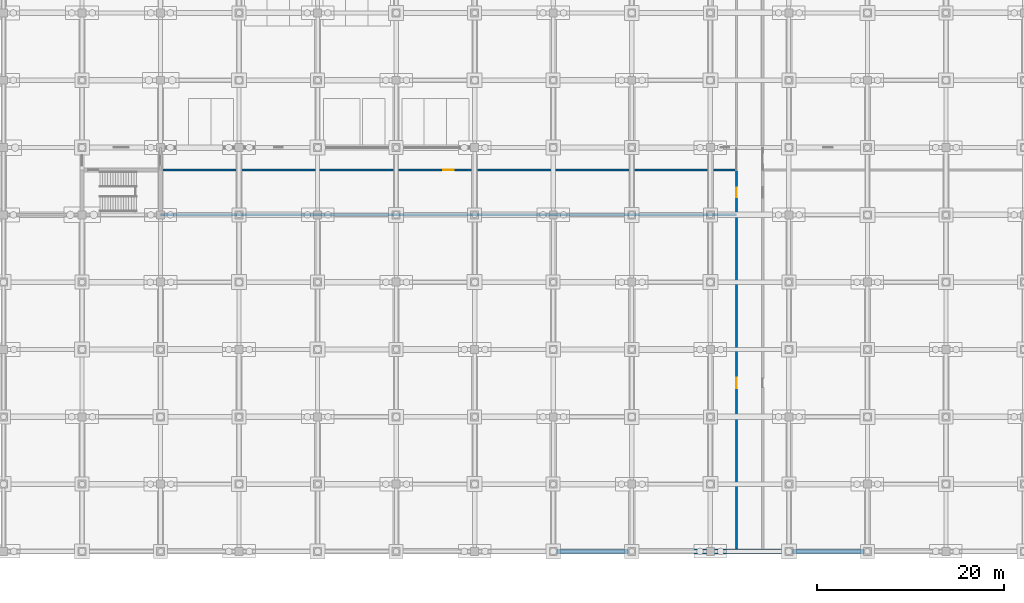
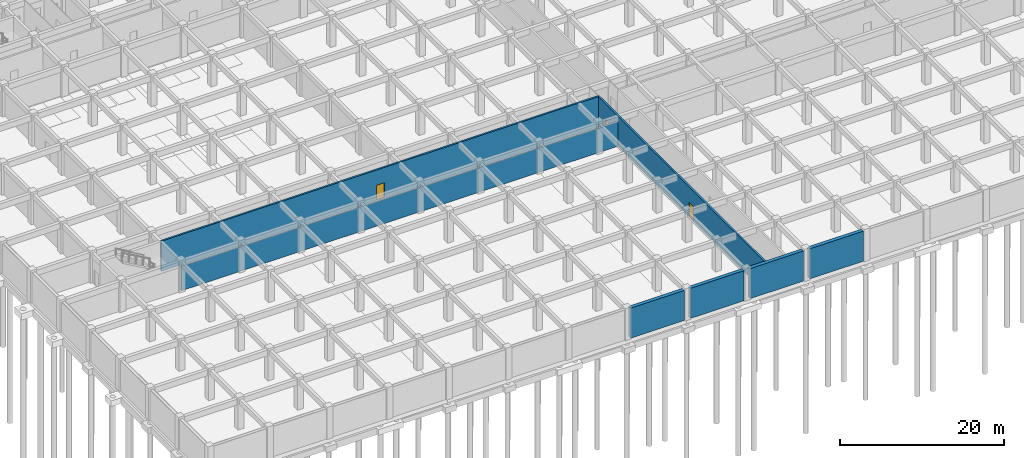
# One storey, part 27 of 85: 7 walls, 3 doors, 3 openings.
"""IFC4 building model written with IfcOpenShell, lengths in metres."""

from ifc_helpers import new_model, si_unit, direction, frame, frame_2d, origin, place, context, subcontext, project, spatial, rectangle, extrude, material, layer, layer_set, type_object, element, fill, save


model = new_model("IFC4")

# Units and contexts
model_context = context("Model", 3, precision=1e-05, world=origin(), true_north=direction((0.0, 1.0)))
body_context = subcontext(model_context, "Body", "Model", "MODEL_VIEW")
ifc_project = project(units=[si_unit("LENGTHUNIT", "METRE"), si_unit("AREAUNIT", "SQUARE_METRE"), si_unit("VOLUMEUNIT", "CUBIC_METRE"), si_unit("PLANEANGLEUNIT", "RADIAN"), si_unit("MASSUNIT", "GRAM", prefix="KILO")], contexts=[model_context])

# Site, building, storey
site_placement = place(None, origin())
site = spatial("IfcSite", under=ifc_project, at=site_placement, CompositionType="ELEMENT")
building_placement = place(site_placement, origin())
building = spatial("IfcBuilding", under=site, at=building_placement, Name="Chengyuan Square Courthouse", CompositionType="ELEMENT")
storey_placement = place(building_placement, frame((0.0, 0.0, -10.199951171875)))
storey = spatial("IfcBuildingStorey", under=building, at=storey_placement, Name="B02", CompositionType="ELEMENT", Elevation=-10.199951171875)

# Wall
ifc_material_1 = material(Name="Concrete C40", Category="concrete")
ifc_layer_1 = layer(ifc_material_1, 0.25)
ifc_layer_set_1 = layer_set([ifc_layer_1], Name="Concrete C40")
wall_type_1 = type_object("IfcWallType", Name="WL-FW1", PredefinedType="STANDARD", material=ifc_layer_set_1)
wall_1_placement = place(storey_placement, frame((16.800048828125, 36.0, 0.0), z_axis=(0.0, 0.0, 1.0), x_axis=(1.0, 0.0, 0.0)))
element("IfcWall", 1, at=wall_1_placement, inside=storey, type_object=wall_type_1, Name="Interior Wall WL-B02-I003", PredefinedType="STANDARD", context=body_context, shape_type="SweptSolid", body=[
    extrude(rectangle(XDim=61.599853515625, YDim=0.25, at=frame_2d((30.7998046875, 0.0))), origin(), (0.0, 0.0, 1.0), 3.6298828125),
])

# Wall, opening, door
wall_2_placement = place(storey_placement, frame((16.800048828125, 40.800048828125, 0.0), z_axis=(0.0, 0.0, 1.0), x_axis=(1.0, 0.0, 0.0)))
wall_2 = element("IfcWall", 2, at=wall_2_placement, inside=storey, type_object=wall_type_1, Name="Interior Wall WL-B02-I008", PredefinedType="STANDARD", context=body_context, shape_type="SweptSolid", body=[
    extrude(rectangle(XDim=61.599853515625, YDim=0.25, at=frame_2d((30.7998046875, 0.0))), origin(), (0.0, 0.0, 1.0), 4.47998046875),
])
opening_1_placement = place(wall_2_placement, frame((30.25, 0.0, 0.0)))
opening_1 = element("IfcOpeningElement", 3, at=opening_1_placement, cuts=wall_2, Name="Opening DR-325", PredefinedType="OPENING", context=body_context, shape_type="SweptSolid", body=[
    extrude(rectangle(XDim=1.10009765625, YDim=2.199951171875, at=frame_2d((0.550048828125, 1.10009765625))), frame((0.0, 0.136962890625, 0.0), z_axis=(0.0, -1.0, 0.0), x_axis=(1.0, 0.0, 0.0)), (0.0, 0.0, 1.0), 0.27392578125),
])
ifc_material_2 = material(Name="Steel Q235B Fire Door", Category="steel")
door_type_1 = type_object("IfcDoorType", Name="DT-10", OperationType="NOTDEFINED", PredefinedType="DOOR", material=ifc_material_2)
door_1_placement = place(opening_1_placement, origin())
door_1 = element("IfcDoor", 4, at=door_1_placement, inside=storey, type_object=door_type_1, Name="Interior Door DR-325", OperationType="SINGLE_SWING_RIGHT", OverallHeight=2.199951171875, OverallWidth=1.10009765625, PredefinedType="DOOR", context=body_context, shape_type="SweptSolid", body=[
    extrude(rectangle(XDim=1.10009765625, YDim=2.199951171875, at=frame_2d((0.550048828125, 1.10009765625))), frame((0.0, 0.02490234375, 0.0), z_axis=(0.0, -1.0, 0.0), x_axis=(1.0, 0.0, 0.0)), (0.0, 0.0, 1.0), 0.050048828125),
])
fill(opening_1, door_1)

# Wall, openings, doors
wall_3_placement = place(storey_placement, frame((78.39990234375, 0.0400390625, 0.0), z_axis=(0.0, 0.0, 1.0), x_axis=(0.0, 1.0, 0.0)))
wall_3 = element("IfcWall", 5, at=wall_3_placement, inside=storey, type_object=wall_type_1, Name="Interior Wall WL-B02-I190", PredefinedType="STANDARD", context=body_context, shape_type="SweptSolid", body=[
    extrude(rectangle(XDim=40.760009765625, YDim=0.25, at=frame_2d((20.3798828125, 0.0))), origin(), (0.0, 0.0, 1.0), 4.47998046875),
])
opening_2_placement = place(wall_3_placement, frame((17.429931640625, 0.0, 0.0)))
opening_2 = element("IfcOpeningElement", 6, at=opening_2_placement, cuts=wall_3, Name="Opening DR-319", PredefinedType="OPENING", context=body_context, shape_type="SweptSolid", body=[
    extrude(rectangle(XDim=1.10009765625, YDim=2.199951171875, at=frame_2d((0.550048828125, 1.10009765625))), frame((0.0, 0.136962890625, 0.0), z_axis=(0.0, -1.0, 0.0), x_axis=(1.0, 0.0, 0.0)), (0.0, 0.0, 1.0), 0.27392578125),
])
opening_3_placement = place(wall_3_placement, frame((37.860107421875, 0.0, 0.0)))
opening_3 = element("IfcOpeningElement", 7, at=opening_3_placement, cuts=wall_3, Name="Opening DR-320", PredefinedType="OPENING", context=body_context, shape_type="SweptSolid", body=[
    extrude(rectangle(XDim=1.0, YDim=2.199951171875, at=frame_2d((0.5, 1.10009765625))), frame((0.0, 0.136962890625, 0.0), z_axis=(0.0, -1.0, 0.0), x_axis=(1.0, 0.0, 0.0)), (0.0, 0.0, 1.0), 0.27392578125),
])
door_2_placement = place(opening_2_placement, origin())
door_2 = element("IfcDoor", 8, at=door_2_placement, inside=storey, type_object=door_type_1, Name="Interior Door DR-319", OperationType="SINGLE_SWING_RIGHT", OverallHeight=2.199951171875, OverallWidth=1.10009765625, PredefinedType="DOOR", context=body_context, shape_type="SweptSolid", body=[
    extrude(rectangle(XDim=1.10009765625, YDim=2.199951171875, at=frame_2d((0.550048828125, 1.10009765625))), frame((0.0, 0.02490234375, 0.0), z_axis=(0.0, -1.0, 0.0), x_axis=(1.0, 0.0, 0.0)), (0.0, 0.0, 1.0), 0.050048828125),
])
fill(opening_2, door_2)
door_type_2 = type_object("IfcDoorType", Name="DT-11", OperationType="NOTDEFINED", PredefinedType="DOOR", material=ifc_material_2)
door_3_placement = place(opening_3_placement, origin())
door_3 = element("IfcDoor", 9, at=door_3_placement, inside=storey, type_object=door_type_2, Name="Interior Door DR-320", OperationType="SINGLE_SWING_LEFT", OverallHeight=2.199951171875, OverallWidth=1.0, PredefinedType="DOOR", context=body_context, shape_type="SweptSolid", body=[
    extrude(rectangle(XDim=1.0, YDim=2.199951171875, at=frame_2d((0.5, 1.10009765625))), frame((0.0, 0.02490234375, 0.0), z_axis=(0.0, -1.0, 0.0), x_axis=(1.0, 0.0, 0.0)), (0.0, 0.0, 1.0), 0.050048828125),
])
fill(opening_3, door_3)

# Walls
ifc_layer_2 = layer(ifc_material_1, 0.5)
ifc_layer_set_2 = layer_set([ifc_layer_2], Name="Concrete C40")
wall_type_2 = type_object("IfcWallType", Name="WL-RW1", PredefinedType="USERDEFINED", material=ifc_layer_set_2)
wall_4_placement = place(storey_placement, frame((59.219970703125, 0.0, 0.0), z_axis=(0.0, 0.0, 1.0), x_axis=(1.0, 0.0, 0.0)))
element("IfcWall", 10, at=wall_4_placement, inside=storey, type_object=wall_type_2, Name="Basement Retaining Wall WL-B02-E031", ObjectType="RETAININGWALL", PredefinedType="USERDEFINED", context=body_context, shape_type="SweptSolid", body=[
    extrude(rectangle(XDim=7.56005859375, YDim=0.5, at=frame_2d((3.780029296875, 0.0))), origin(), (0.0, 0.0, 1.0), 4.47998046875),
])
wall_5_placement = place(storey_placement, frame((67.6201171875, 0.0, 0.0), z_axis=(0.0, 0.0, 1.0), x_axis=(1.0, 0.0, 0.0)))
element("IfcWall", 11, at=wall_5_placement, inside=storey, type_object=wall_type_2, Name="Basement Retaining Wall WL-B02-E033", ObjectType="RETAININGWALL", PredefinedType="USERDEFINED", context=body_context, shape_type="SweptSolid", body=[
    extrude(rectangle(XDim=7.559814453125, YDim=0.5, at=frame_2d((3.77978515625, 0.0))), origin(), (0.0, 0.0, 1.0), 4.47998046875),
])
for number, where, z_axis, x_axis, name in (
    (12, (76.02001953125, 0.0, 0.0), (0.0, 0.0, 1.0), (1.0, 0.0, 0.0), "Basement Retaining Wall WL-B02-E035"),
    (13, (84.419921875, 0.0, 0.0), (0.0, 0.0, 1.0), (1.0, 0.0, 0.0), "Basement Retaining Wall WL-B02-E037"),
):
    element("IfcWall", number, at=place(storey_placement, frame(where, z_axis=z_axis, x_axis=x_axis)), inside=storey, type_object=wall_type_2, Name=name, ObjectType="RETAININGWALL", PredefinedType="USERDEFINED", context=body_context, shape_type="SweptSolid", body=[
        extrude(rectangle(XDim=7.56005859375, YDim=0.5, at=frame_2d((3.780029296875, 0.0))), origin(), (0.0, 0.0, 1.0), 4.47998046875),
    ])

save(model, "model.ifc")
